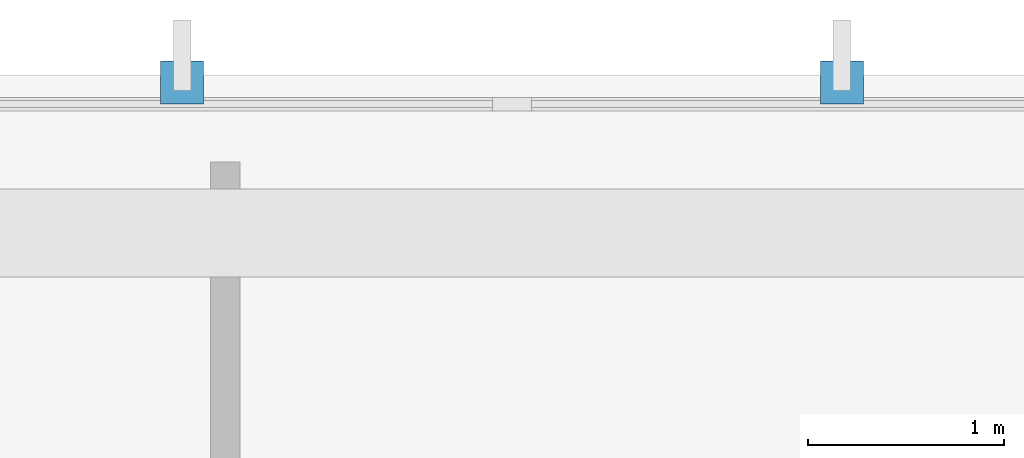
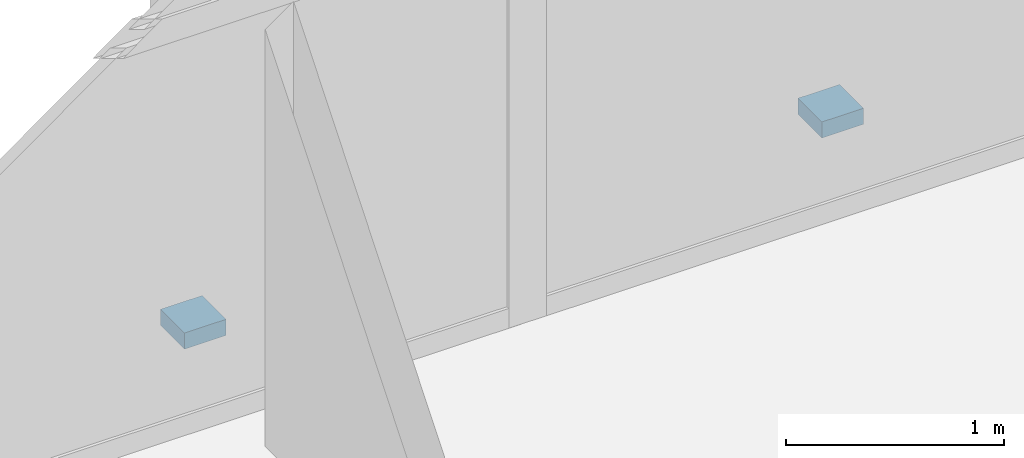
# One storey, part 74 of 88: 2 discrete accessories.
"""IFC4 building model written with IfcOpenShell, lengths in metres."""

from ifc_helpers import new_model, si_unit, direction, frame, origin, origin_2d, place, context, subcontext, project, spatial, rectangle, extrude, material, layer, layer_set, type_object, element, save


model = new_model("IFC4")

# Units and contexts
model_context = context("Model", 3, precision=1e-05, world=origin(), true_north=direction((0.0, 1.0)))
body_context = subcontext(model_context, "Body", "Model", "MODEL_VIEW")
ifc_project = project(units=[si_unit("LENGTHUNIT", "METRE"), si_unit("AREAUNIT", "SQUARE_METRE"), si_unit("VOLUMEUNIT", "CUBIC_METRE"), si_unit("PLANEANGLEUNIT", "RADIAN"), si_unit("MASSUNIT", "GRAM", prefix="KILO")], contexts=[model_context])

# Site, building, storey
site_placement = place(None, origin())
site = spatial("IfcSite", under=ifc_project, at=site_placement, CompositionType="ELEMENT")
building_placement = place(site_placement, origin())
building = spatial("IfcBuilding", under=site, at=building_placement, Name="Birchvale Park Specialist Clinic", CompositionType="ELEMENT")
storey_placement = place(building_placement, origin())
storey = spatial("IfcBuildingStorey", under=building, at=storey_placement, Name="L00", CompositionType="ELEMENT", Elevation=0.0)

# Discrete accessories
ifc_material = material(Name="Anodised aluminium facade bracket", Category="aluminium")
ifc_layer = layer(ifc_material, 0.080078125)
ifc_layer_set = layer_set([ifc_layer], Name="Anodised aluminium facade bracket")
discrete_accessory_type = type_object("IfcDiscreteAccessoryType", Name="ACC-BRK-1", PredefinedType="BRACKET", material=ifc_layer_set)
for number, where, z_axis, x_axis, name in (
    (1, (161.964599609375, 111.715087890625, 0.455078125), (0.0, 0.0, 1.0), (0.0, 1.0, 0.0), "V6 L00 solar fin bracket 12"),
    (2, (158.590576171875, 111.715087890625, 0.455078125), (0.0, 0.0, 1.0), (0.0, 1.0, 0.0), "V6 L00 solar fin bracket 13"),
):
    element("IfcDiscreteAccessory", number, at=place(storey_placement, frame(where, z_axis=z_axis, x_axis=x_axis)), inside=storey, type_object=discrete_accessory_type, Name=name, PredefinedType="BRACKET", context=body_context, shape_type="SweptSolid", body=[
        extrude(rectangle(XDim=0.219970703125, YDim=0.219970703125, at=origin_2d()), origin(), (0.0, 0.0, 1.0), 0.090087890625),
    ])

save(model, "model.ifc")
